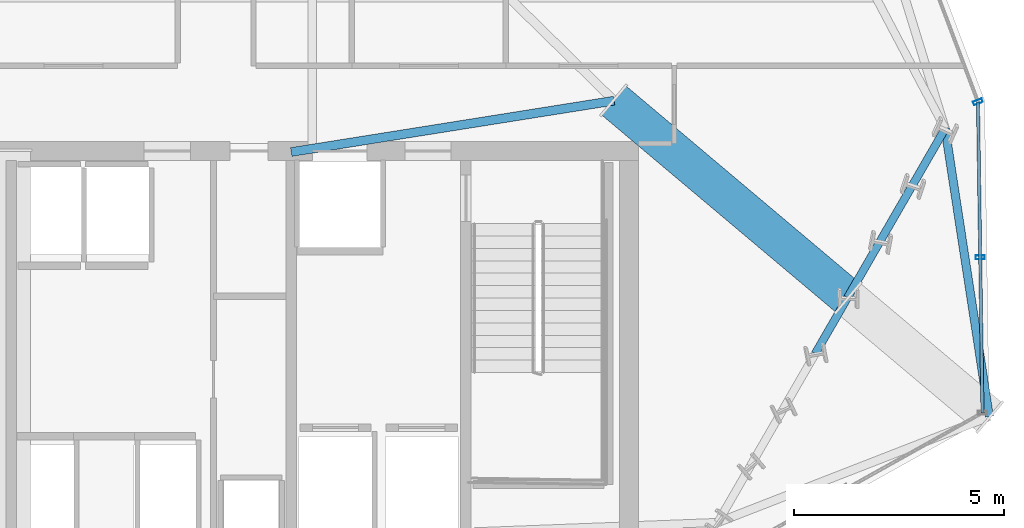
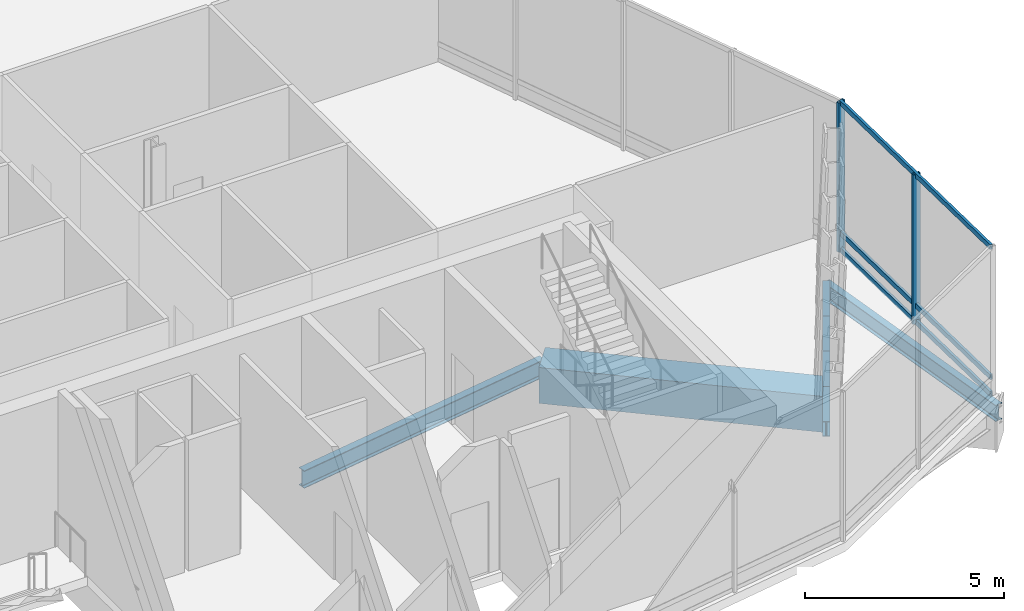
# One storey, part 11 of 26: 7 beams, 5 members, 2 elements without a shape of their own.
"""IFC4 building model written with IfcOpenShell, lengths in metres."""

from ifc_helpers import new_model, si_unit, direction, frame, origin, origin_2d, place, context, subcontext, project, spatial, hollow_rectangle, i_section, extrude, material, layer, layer_set, material_profile, profile_set, type_object, element, aggregate, save


model = new_model("IFC4")

# Units and contexts
model_context = context("Model", 3, precision=1e-05, world=origin(), true_north=direction((0.0, 1.0)))
body_context = subcontext(model_context, "Body", "Model", "MODEL_VIEW")
ifc_project = project(units=[si_unit("LENGTHUNIT", "METRE"), si_unit("AREAUNIT", "SQUARE_METRE"), si_unit("VOLUMEUNIT", "CUBIC_METRE"), si_unit("PLANEANGLEUNIT", "RADIAN"), si_unit("MASSUNIT", "GRAM", prefix="KILO")], contexts=[model_context])

# Site, building, storey
site_placement = place(None, origin())
site = spatial("IfcSite", under=ifc_project, at=site_placement, CompositionType="ELEMENT")
building_placement = place(site_placement, origin())
building = spatial("IfcBuilding", under=site, at=building_placement, Name="Ndaravel Arena Tower", CompositionType="ELEMENT")
storey_placement = place(building_placement, frame((0.0, 0.0, 122.199951171875)))
storey = spatial("IfcBuildingStorey", under=building, at=storey_placement, Name="L28", CompositionType="ELEMENT", Elevation=122.199951171875)

# Beams
ifc_material_1 = material(Name="Steel S355", Category="steel")
ifc_material_profile_1 = material_profile(ifc_material_1, i_section(OverallWidth=0.210693359375, OverallDepth=0.53955078125, WebThickness=0.01171875, FlangeThickness=0.018798828125, FilletRadius=0.0126953125, at=origin_2d()), Name="UB 533x210x109")
ifc_profile_set_1 = profile_set([ifc_material_profile_1], Name="Steel S355")
beam_type_1 = type_object("IfcBeamType", Name="BM-GIRD-UB533", PredefinedType="BEAM", material=ifc_profile_set_1)
beam_1_placement = place(storey_placement, frame((49.300048828125, 14.949951171875, -0.5498046875), z_axis=(0.987601133706, 0.156984077866, 0.0), x_axis=(-0.156984077866, 0.987601133706, 0.0)))
element("IfcBeam", 1, at=beam_1_placement, inside=storey, type_object=beam_type_1, Name="L28 Star Backspan Anchor Tie SAT1-3", PredefinedType="BEAM", context=body_context, shape_type="SweptSolid", body=[
    extrude(i_section(OverallWidth=0.210693359375, OverallDepth=0.53955078125, WebThickness=0.01171875, FlangeThickness=0.018798828125, FilletRadius=0.0126953125, at=origin_2d()), origin(), (0.0, 0.0, 1.0), 7.768310546875),
])
ifc_material_2 = material(Name="Steel S355", Category="steel")
ifc_material_profile_2 = material_profile(ifc_material_2, i_section(OverallWidth=0.18994140625, OverallDepth=0.449951171875, WebThickness=0.009521484375, FlangeThickness=0.0146484375, FilletRadius=0.02099609375, at=origin_2d()), Name="IPE 450")
ifc_profile_set_2 = profile_set([ifc_material_profile_2], Name="Steel S355")
beam_type_2 = type_object("IfcBeamType", Name="BM-SPAN-IPE450", PredefinedType="SPANDREL", material=ifc_profile_set_2)
for number, where, z_axis, x_axis, name in (
    (2, (61.750732421875, 10.157958984375, -0.5048828125), (0.5000008632, 0.866024905415, 0.0), (-0.866024905415, 0.5000008632, 0.0), "L28 Perimeter Spandrel Beam SP-05"),
    (3, (62.5224609375, 11.49462890625, -0.5048828125), (0.5000008632, 0.866024905415, 0.0), (-0.866024905415, 0.5000008632, 0.0), "L28 Perimeter Spandrel Beam SP-06"),
):
    element("IfcBeam", number, at=place(storey_placement, frame(where, z_axis=z_axis, x_axis=x_axis)), inside=storey, type_object=beam_type_2, Name=name, PredefinedType="SPANDREL", context=body_context, shape_type="SweptSolid", body=[
        extrude(i_section(OverallWidth=0.18994140625, OverallDepth=0.449951171875, WebThickness=0.009521484375, FlangeThickness=0.0146484375, FilletRadius=0.02099609375, at=origin_2d()), origin(), (0.0, 0.0, 1.0), 1.54345703125),
    ])
for number, where, z_axis, x_axis, name in (
    (4, (63.294189453125, 12.831298828125, -0.5048828125), (0.500069364209, 0.865985352636, 0.0), (-0.865985352636, 0.500069364209, 0.0), "L28 Perimeter Spandrel Beam SP-07"),
    (5, (64.06591796875, 14.167724609375, -0.5048828125), (0.499882215713, 0.866093395895, 0.0), (-0.866093395895, 0.499882215713, 0.0), "L28 Perimeter Spandrel Beam SP-08"),
):
    element("IfcBeam", number, at=place(storey_placement, frame(where, z_axis=z_axis, x_axis=x_axis)), inside=storey, type_object=beam_type_2, Name=name, PredefinedType="SPANDREL", context=body_context, shape_type="SweptSolid", body=[
        extrude(i_section(OverallWidth=0.18994140625, OverallDepth=0.449951171875, WebThickness=0.009521484375, FlangeThickness=0.0146484375, FilletRadius=0.02099609375, at=origin_2d()), origin(), (0.0, 0.0, 1.0), 1.543212890625),
    ])
ifc_material_3 = material(Name="Steel S355", Category="steel")
ifc_material_profile_3 = material_profile(ifc_material_3, i_section(OverallWidth=0.199951171875, OverallDepth=0.5, WebThickness=0.01025390625, FlangeThickness=0.01611328125, FilletRadius=0.02099609375, at=origin_2d()), Name="IPE 500")
ifc_profile_set_3 = profile_set([ifc_material_profile_3], Name="Steel S355")
beam_type_3 = type_object("IfcBeamType", Name="BM-SPAN-IPE500", PredefinedType="SPANDREL", material=ifc_profile_set_3)
beam_2_placement = place(storey_placement, frame((65.886474609375, 8.661376953125, -0.530029296875), z_axis=(-0.151535113883, 0.988451875035, 0.0), x_axis=(-0.988451875035, -0.151535113883, 0.0)))
element("IfcBeam", 6, at=beam_2_placement, inside=storey, type_object=beam_type_3, Name="L28 Star Facet Edge Beam SEB-3", PredefinedType="SPANDREL", context=body_context, shape_type="SweptSolid", body=[
    extrude(i_section(OverallWidth=0.199951171875, OverallDepth=0.5, WebThickness=0.01025390625, FlangeThickness=0.01611328125, FilletRadius=0.02099609375, at=origin_2d()), origin(), (0.0, 0.0, 1.0), 6.9228515625),
])
ifc_material_4 = material(Name="Steel S460", Category="steel")
ifc_material_profile_4 = material_profile(ifc_material_4, hollow_rectangle(XDim=0.89990234375, YDim=1.10009765625, WallThickness=0.06494140625, at=origin_2d()), Name="BOX 1100x900x65")
ifc_profile_set_4 = profile_set([ifc_material_profile_4], Name="Steel S460")
beam_type_4 = type_object("IfcBeamType", Name="BM-STAR-BOX1100", PredefinedType="BEAM", material=ifc_profile_set_4)
beam_3_placement = place(storey_placement, frame((56.971923828125, 16.16943359375, -0.829833984375), z_axis=(0.764865830432, -0.644189616059, 0.0), x_axis=(0.644189616059, 0.764865830432, 0.0)))
element("IfcBeam", 7, at=beam_3_placement, inside=storey, type_object=beam_type_4, Name="L28 Star Cantilever Backspan Girder SBG-3", PredefinedType="BEAM", context=body_context, shape_type="SweptSolid", body=[
    extrude(hollow_rectangle(XDim=0.89990234375, YDim=1.10009765625, WallThickness=0.06494140625, at=origin_2d()), origin(), (0.0, 0.0, 1.0), 7.2568359375),
])

# Curtain wall, member
ifc_material_5 = material(Name="Aluminium", Category="aluminium")
ifc_layer = layer(ifc_material_5, 0.179931640625)
ifc_layer_set = layer_set([ifc_layer], Name="Aluminium")
curtain_wall_type = type_object("IfcCurtainWallType", Name="CW-SYS-04", PredefinedType="NOTDEFINED", material=ifc_layer_set)
curtain_wall_1_placement = place(storey_placement, origin())
curtain_wall_1 = element("IfcCurtainWall", 8, at=curtain_wall_1_placement, inside=storey, type_object=curtain_wall_type, Name="L28 Faceted Crystal Curtain Wall CW-L28-E05", PredefinedType="NOTDEFINED")
ifc_material_6 = material(Name="Aluminium", Category="aluminium")
ifc_material_profile_5 = material_profile(ifc_material_6, hollow_rectangle(XDim=0.090087890625, YDim=0.219970703125, WallThickness=0.0048828125, at=origin_2d()), Name="CW MULLION 90x220x5")
ifc_profile_set_5 = profile_set([ifc_material_profile_5], Name="Aluminium")
member_type_1 = type_object("IfcMemberType", Name="MEM-CW-MUL220", PredefinedType="MULLION", material=ifc_profile_set_5)
member_1_placement = place(storey_placement, frame((65.67138671875, 12.448486328125, 0.0), z_axis=(0.0, 0.0, 1.0), x_axis=(-0.014503177598, 0.999894823389, 0.0)))
member_1 = element("IfcMember", 9, at=member_1_placement, type_object=member_type_1, Name="CW-L28-E05 Mullion 01", PredefinedType="MULLION", context=body_context, shape_type="SweptSolid", body=[
    extrude(hollow_rectangle(XDim=0.090087890625, YDim=0.219970703125, WallThickness=0.0048828125, at=origin_2d()), origin(), (0.0, 0.0, 1.0), 4.580078125),
])

curtain_wall_2_placement = place(storey_placement, origin())
curtain_wall_2 = element("IfcCurtainWall", 10, at=curtain_wall_2_placement, inside=storey, type_object=curtain_wall_type, Name="L28 Faceted Crystal Curtain Wall CW-L28-E06", PredefinedType="NOTDEFINED")
member_2_placement = place(storey_placement, frame((65.617919921875, 16.142333984375, 0.0), z_axis=(0.0, 0.0, 1.0), x_axis=(-0.352805363625, 0.935696732599, 0.0)))
member_2 = element("IfcMember", 11, at=member_2_placement, type_object=member_type_1, Name="CW-L28-E06 Mullion 00", PredefinedType="MULLION", context=body_context, shape_type="SweptSolid", body=[
    extrude(hollow_rectangle(XDim=0.090087890625, YDim=0.219970703125, WallThickness=0.0048828125, at=origin_2d()), origin(), (0.0, 0.0, 1.0), 4.580078125),
])
aggregate(curtain_wall_2, [member_2])

# Member
ifc_material_7 = material(Name="Aluminium", Category="aluminium")
ifc_material_profile_6 = material_profile(ifc_material_7, hollow_rectangle(XDim=0.074951171875, YDim=0.14990234375, WallThickness=0.00390625, at=origin_2d()), Name="CW TRANSOM 75x150x4")
ifc_profile_set_6 = profile_set([ifc_material_profile_6], Name="Aluminium")
member_type_2 = type_object("IfcMemberType", Name="MEM-CW-TRN150", PredefinedType="USERDEFINED", material=ifc_profile_set_6)
member_3_placement = place(storey_placement, frame((65.72509765625, 8.75439453125, 0.0400390625), z_axis=(-0.014505595059, 0.999894788321, 0.0), x_axis=(-0.999894788321, -0.014505595059, 0.0)))
member_3 = element("IfcMember", 12, at=member_3_placement, type_object=member_type_2, Name="CW-L28-E05 Transom 01", ObjectType="TRANSOM", PredefinedType="USERDEFINED", context=body_context, shape_type="SweptSolid", body=[
    extrude(hollow_rectangle(XDim=0.074951171875, YDim=0.14990234375, WallThickness=0.00390625, at=origin_2d()), origin(), (0.0, 0.0, 1.0), 7.388671875),
])

member_4_placement = place(storey_placement, frame((65.72509765625, 8.75439453125, 0.550048828125), z_axis=(-0.014505595059, 0.999894788321, 0.0), x_axis=(-0.999894788321, -0.014505595059, 0.0)))
member_4 = element("IfcMember", 13, at=member_4_placement, type_object=member_type_2, Name="CW-L28-E05 Transom 02", ObjectType="TRANSOM", PredefinedType="USERDEFINED", context=body_context, shape_type="SweptSolid", body=[
    extrude(hollow_rectangle(XDim=0.074951171875, YDim=0.14990234375, WallThickness=0.00390625, at=origin_2d()), origin(), (0.0, 0.0, 1.0), 7.388671875),
])

member_5_placement = place(storey_placement, frame((65.72509765625, 8.75439453125, 4.5400390625), z_axis=(-0.014505595059, 0.999894788321, 0.0), x_axis=(-0.999894788321, -0.014505595059, 0.0)))
member_5 = element("IfcMember", 14, at=member_5_placement, type_object=member_type_2, Name="CW-L28-E05 Transom 03", ObjectType="TRANSOM", PredefinedType="USERDEFINED", context=body_context, shape_type="SweptSolid", body=[
    extrude(hollow_rectangle(XDim=0.074951171875, YDim=0.14990234375, WallThickness=0.00390625, at=origin_2d()), origin(), (0.0, 0.0, 1.0), 7.388671875),
])

aggregate(curtain_wall_1, [member_1, member_3, member_4, member_5])

save(model, "model.ifc")
